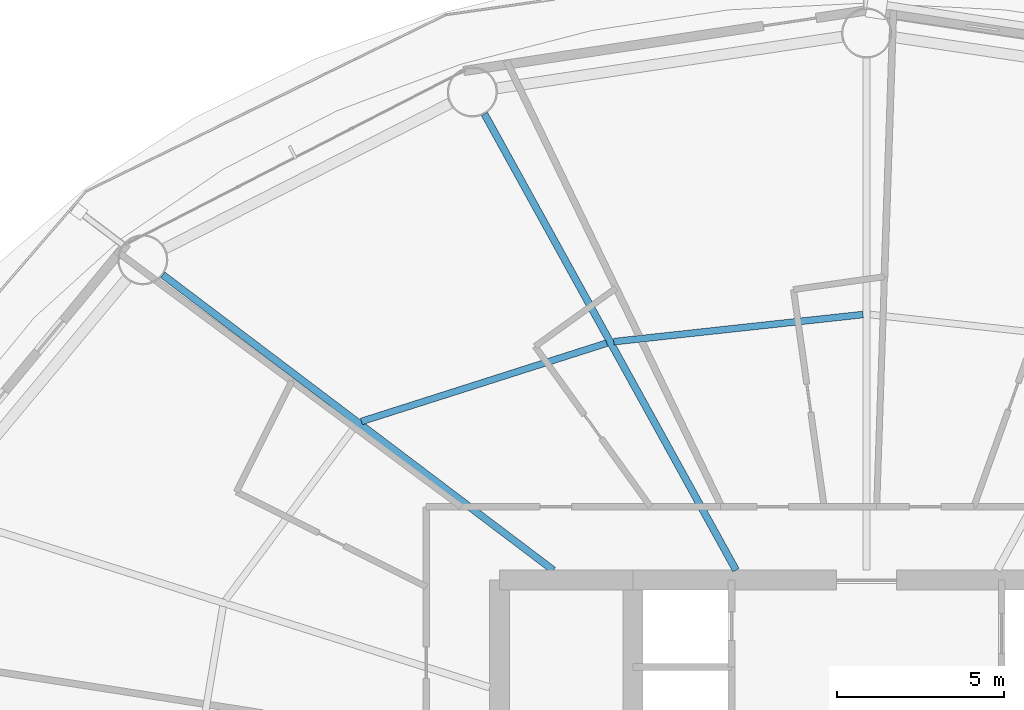
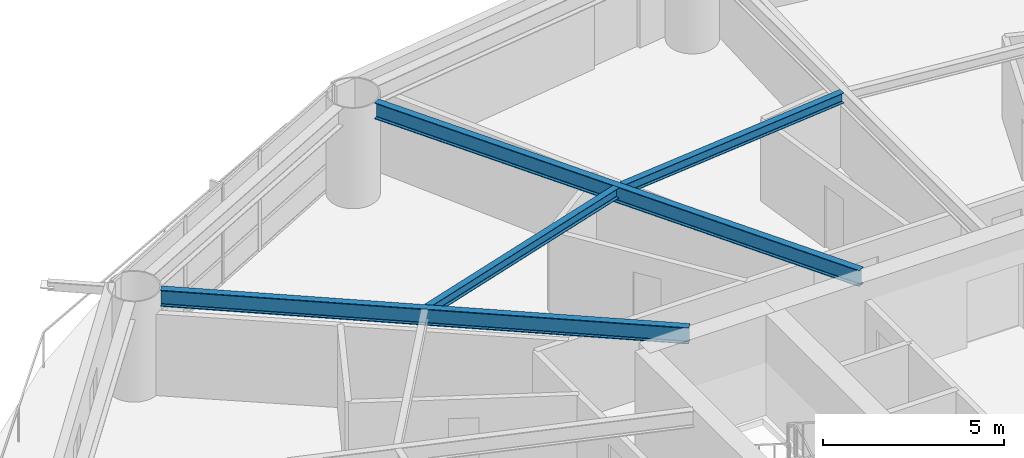
# One storey, part 11 of 26: 4 beams.
"""IFC4 building model written with IfcOpenShell, lengths in metres."""

from ifc_helpers import new_model, si_unit, direction, frame, origin, origin_2d, place, context, subcontext, project, spatial, i_section, extrude, material, material_profile, profile_set, type_object, element, save


model = new_model("IFC4")

# Units and contexts
model_context = context("Model", 3, precision=1e-05, world=origin(), true_north=direction((0.0, 1.0)))
body_context = subcontext(model_context, "Body", "Model", "MODEL_VIEW")
ifc_project = project(units=[si_unit("LENGTHUNIT", "METRE"), si_unit("AREAUNIT", "SQUARE_METRE"), si_unit("VOLUMEUNIT", "CUBIC_METRE"), si_unit("PLANEANGLEUNIT", "RADIAN"), si_unit("MASSUNIT", "GRAM", prefix="KILO")], contexts=[model_context])

# Site, building, storey
site_placement = place(None, origin())
site = spatial("IfcSite", under=ifc_project, at=site_placement, CompositionType="ELEMENT")
building_placement = place(site_placement, origin())
building = spatial("IfcBuilding", under=site, at=building_placement, Name="Sarneth Arch Tower", CompositionType="ELEMENT")
storey_placement = place(building_placement, frame((0.0, 0.0, 35.39990234375)))
storey = spatial("IfcBuildingStorey", under=building, at=storey_placement, Name="L07", CompositionType="ELEMENT", Elevation=35.39990234375)

# Beams
ifc_material_1 = material(Name="Steel S355", Category="steel")
ifc_material_profile_1 = material_profile(ifc_material_1, i_section(OverallWidth=0.202880859375, OverallDepth=0.346923828125, WebThickness=0.0078125, FlangeThickness=0.013427734375, FilletRadius=0.014892578125, at=origin_2d()), Name="W360x64")
ifc_profile_set_1 = profile_set([ifc_material_profile_1], Name="Steel S355")
beam_type_1 = type_object("IfcBeamType", Name="BM-JOIST-360C", PredefinedType="JOIST", material=ifc_profile_set_1)
beam_1_placement = place(storey_placement, frame((47.8935546875, 56.763427734375, 3.20654296875), z_axis=(-0.994129966112, -0.108192469602, 0.0), x_axis=(0.108192469602, -0.994129966112, 0.0)))
element("IfcBeam", 1, at=beam_1_placement, inside=storey, type_object=beam_type_1, Name="L07 Secondary floor joist 05", PredefinedType="JOIST", context=body_context, shape_type="SweptSolid", body=[
    extrude(i_section(OverallWidth=0.202880859375, OverallDepth=0.346923828125, WebThickness=0.0078125, FlangeThickness=0.013427734375, FilletRadius=0.014892578125, at=origin_2d()), origin(), (0.0, 0.0, 1.0), 7.5166015625),
])
beam_2_placement = place(storey_placement, frame((40.212890625, 55.906005859375, 3.20654296875), z_axis=(-0.95266836992, -0.304011475036, 0.0), x_axis=(0.304011475036, -0.95266836992, 0.0)))
element("IfcBeam", 2, at=beam_2_placement, inside=storey, type_object=beam_type_1, Name="L07 Secondary floor joist 06", PredefinedType="JOIST", context=body_context, shape_type="SweptSolid", body=[
    extrude(i_section(OverallWidth=0.202880859375, OverallDepth=0.346923828125, WebThickness=0.0078125, FlangeThickness=0.013427734375, FilletRadius=0.014892578125, at=origin_2d()), origin(), (0.0, 0.0, 1.0), 7.720703125),
])
ifc_material_2 = material(Name="Steel S355", Category="steel")
ifc_material_profile_2 = material_profile(ifc_material_2, i_section(OverallWidth=0.214111328125, OverallDepth=0.549072265625, WebThickness=0.0146484375, FlangeThickness=0.023681640625, FilletRadius=0.01806640625, at=origin_2d()), Name="W530x138")
ifc_profile_set_2 = profile_set([ifc_material_profile_2], Name="Steel S355")
beam_type_2 = type_object("IfcBeamType", Name="BM-RAD-530A", PredefinedType="BEAM", material=ifc_profile_set_2)
beam_3_placement = place(storey_placement, frame((44.08544921875, 49.10009765625, 3.105712890625), z_axis=(-0.482841370957, 0.875707833979, 0.0), x_axis=(-0.875707833979, -0.482841370957, 0.0)))
element("IfcBeam", 3, at=beam_3_placement, inside=storey, type_object=beam_type_2, Name="L07 Radial floor girder 06", PredefinedType="BEAM", context=body_context, shape_type="SweptSolid", body=[
    extrude(i_section(OverallWidth=0.214111328125, OverallDepth=0.549072265625, WebThickness=0.0146484375, FlangeThickness=0.023681640625, FilletRadius=0.01806640625, at=origin_2d()), origin(), (0.0, 0.0, 1.0), 15.618408203125),
])
beam_4_placement = place(storey_placement, frame((38.609619140625, 49.10009765625, 3.105712890625), z_axis=(-0.79765464731, 0.603114469753, 0.0), x_axis=(-0.603114469753, -0.79765464731, 0.0)))
element("IfcBeam", 4, at=beam_4_placement, inside=storey, type_object=beam_type_2, Name="L07 Radial floor girder 07", PredefinedType="BEAM", context=body_context, shape_type="SweptSolid", body=[
    extrude(i_section(OverallWidth=0.214111328125, OverallDepth=0.549072265625, WebThickness=0.0146484375, FlangeThickness=0.023681640625, FilletRadius=0.01806640625, at=origin_2d()), origin(), (0.0, 0.0, 1.0), 14.677978515625),
])

save(model, "model.ifc")
